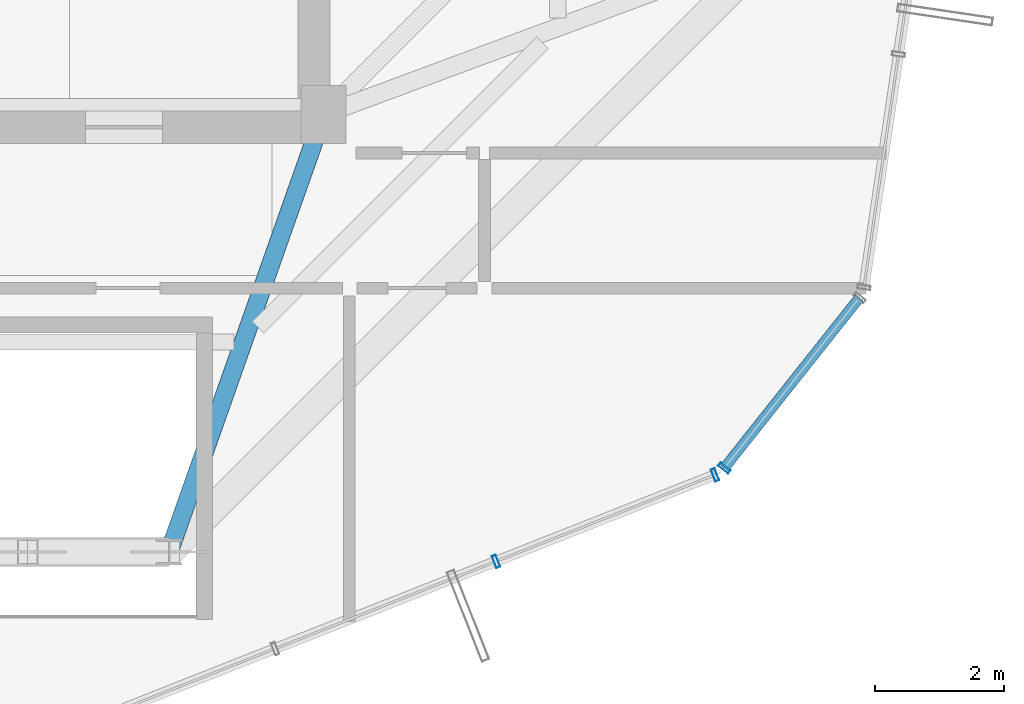
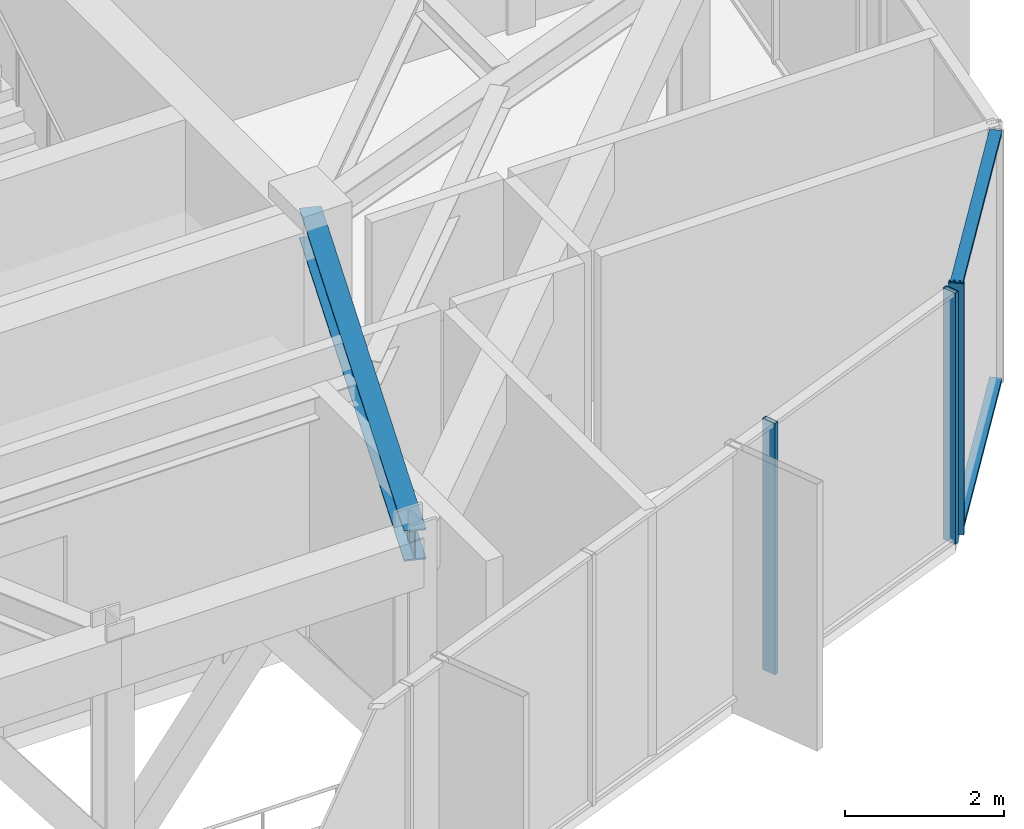
# One storey, part 7 of 22: 5 members, 1 beam, 2 elements without a shape of their own.
"""IFC4 building model written with IfcOpenShell, lengths in metres."""

import ifcopenshell
import ifcopenshell.guid

model = None  # the IFC model being written
_history = None  # IfcOwnerHistory: only IFC2X3 demands one
_inside = {}  # id of a spatial element -> (the spatial element, [elements in it])
_under = {}  # id of a project, library or spatial element -> (it, [spatial elements below it])
_declared = {}  # id of a project -> (the project, [libraries it declares])
_typed = {}  # id of a type object -> (the type object, [elements of that type])
_made_of = {}  # id of a material, layer set ... -> (it, [elements and type objects made of it])


def new_model(schema):
    """Start an empty IFC model of exactly this schema.

    Asked for "IFC4X3", IfcOpenShell would pick the latest addendum, in which some entities
    have other attributes; the version numbers below select the first issue.
    IFC2X3 requires an IfcOwnerHistory on every rooted entity: one is made here for all.
    """
    global model, _history
    if schema == "IFC4X3":
        model = ifcopenshell.file(schema_version=(4, 3, 0, 0))
    else:
        model = ifcopenshell.file(schema=schema)
    _inside.clear()
    _under.clear()
    _declared.clear()
    _typed.clear()
    _made_of.clear()
    _history = None
    if model.schema == "IFC2X3":
        org = make("IfcOrganization", Name="unknown")
        user = make(
            "IfcPersonAndOrganization",
            ThePerson=make("IfcPerson", FamilyName="unknown"),
            TheOrganization=org,
        )
        app = make(
            "IfcApplication",
            ApplicationDeveloper=org,
            Version="unknown",
            ApplicationFullName="unknown",
            ApplicationIdentifier="unknown",
        )
        _history = make(
            "IfcOwnerHistory",
            OwningUser=user,
            OwningApplication=app,
            ChangeAction="ADDED",
            CreationDate=0,
        )
    return model


def make(cls, **values):
    """One entity of the class cls with the attributes given. An attribute that is None is left unset."""
    return model.create_entity(
        cls, **{name: value for name, value in values.items() if value is not None}
    )


def rooted(cls, **values):
    """An entity with a GlobalId (a new one), such as an element, a storey or a relation."""
    return make(cls, GlobalId=ifcopenshell.guid.new(), OwnerHistory=_history, **values)


def si_unit(unit_type, name, prefix=None):
    """IfcSIUnit, for example si_unit("LENGTHUNIT", "METRE", prefix="MILLI")."""
    return make("IfcSIUnit", UnitType=unit_type, Prefix=prefix, Name=name)


def assignment(units):
    """IfcUnitAssignment: the units of a project."""
    return None if units is None else make("IfcUnitAssignment", Units=units)


def point(xyz):
    """IfcCartesianPoint."""
    return None if xyz is None else make("IfcCartesianPoint", Coordinates=xyz)


def direction(xyz):
    """IfcDirection."""
    return None if xyz is None else make("IfcDirection", DirectionRatios=xyz)


def frame(location, z_axis=None, x_axis=None):
    """IfcAxis2Placement3D, a coordinate frame: its origin and axes. An axis left out is left unset."""
    return make(
        "IfcAxis2Placement3D",
        Location=point(location),
        Axis=direction(z_axis),
        RefDirection=direction(x_axis),
    )


def frame_2d(location, x_axis=None):
    """IfcAxis2Placement2D, a coordinate frame in the plane: its origin and x axis."""
    return make(
        "IfcAxis2Placement2D", Location=point(location), RefDirection=direction(x_axis)
    )


def origin():
    """The frame at (0, 0, 0) with its axes left unset."""
    return frame((0.0, 0.0, 0.0))


def origin_2d():
    """The frame at (0, 0) in the plane with its x axis left unset."""
    return frame_2d((0.0, 0.0))


def place(relative_to, where):
    """IfcLocalPlacement: puts the frame where relative to a parent placement (None: the world)."""
    return make(
        "IfcLocalPlacement", PlacementRelTo=relative_to, RelativePlacement=where
    )


def context(
    kind, dimensions, precision=None, world=None, true_north=None, identifier=None
):
    """IfcGeometricRepresentationContext, for example the 3D "Model" context."""
    return make(
        "IfcGeometricRepresentationContext",
        ContextIdentifier=identifier,
        ContextType=kind,
        CoordinateSpaceDimension=dimensions,
        Precision=precision,
        WorldCoordinateSystem=world,
        TrueNorth=true_north,
    )


def subcontext(parent, identifier, kind, view, scale=None):
    """IfcGeometricRepresentationSubContext, for example "Body" below "Model"."""
    return make(
        "IfcGeometricRepresentationSubContext",
        ContextIdentifier=identifier,
        ContextType=kind,
        ParentContext=parent,
        TargetScale=scale,
        TargetView=view,
    )


def project(units=None, contexts=None):
    """IfcProject with its units and contexts."""
    return rooted(
        "IfcProject",
        Name="project",
        RepresentationContexts=contexts,
        UnitsInContext=assignment(units),
    )


def spatial(cls, under=None, at=None, **own):
    """A site, building, storey or space (cls), placed at a placement, below another one or the project."""
    s = rooted(cls, ObjectPlacement=at, **own)
    if under is not None:
        _under.setdefault(under.id(), (under, []))[1].append(s)
    return s


def profile(cls, at=None, kind="AREA", **sizes):
    """A parametric profile (cls). Its sizes go by their IFC names, for example OverallWidth=200.0."""
    return make(cls, ProfileType=kind, Position=at, **sizes)


def hollow_rectangle(**sizes):
    """IfcRectangleHollowProfileDef."""
    return profile("IfcRectangleHollowProfileDef", **sizes)


def i_section(**sizes):
    """IfcIShapeProfileDef."""
    return profile("IfcIShapeProfileDef", **sizes)


def extrude(swept, where, along, depth):
    """IfcExtrudedAreaSolid: the profile swept, set in the frame where, extruded along a direction by depth."""
    return make(
        "IfcExtrudedAreaSolid",
        SweptArea=swept,
        Position=where,
        ExtrudedDirection=direction(along),
        Depth=depth,
    )


def shape(context_of_items, identifier, shape_type, items):
    """IfcShapeRepresentation: the items that make up one representation, for example the "Body"."""
    return make(
        "IfcShapeRepresentation",
        ContextOfItems=context_of_items,
        RepresentationIdentifier=identifier,
        RepresentationType=shape_type,
        Items=items,
    )


def source(mapping_origin, context_of_items, identifier, shape_type, items):
    """IfcRepresentationMap: a shape defined once, which mapped items show again and again."""
    return make(
        "IfcRepresentationMap",
        MappingOrigin=mapping_origin,
        MappedRepresentation=shape(context_of_items, identifier, shape_type, items),
    )


def transform(
    local_origin,
    x_axis=None,
    y_axis=None,
    z_axis=None,
    scale=None,
    scale2=None,
    scale3=None,
    uniform=True,
):
    """IfcCartesianTransformationOperator3D, or its non-uniform kind. x_axis, y_axis, z_axis: its Axis1, 2, 3."""
    if uniform:
        return make(
            "IfcCartesianTransformationOperator3D",
            Axis1=direction(x_axis),
            Axis2=direction(y_axis),
            LocalOrigin=point(local_origin),
            Scale=scale,
            Axis3=direction(z_axis),
        )
    return make(
        "IfcCartesianTransformationOperator3DnonUniform",
        Axis1=direction(x_axis),
        Axis2=direction(y_axis),
        LocalOrigin=point(local_origin),
        Scale=scale,
        Axis3=direction(z_axis),
        Scale2=scale2,
        Scale3=scale3,
    )


def mapped(mapping_source, mapping_target):
    """IfcMappedItem: shows the shape of a source again, moved by a transform."""
    return make(
        "IfcMappedItem", MappingSource=mapping_source, MappingTarget=mapping_target
    )


def material(Name=None, Category=None):
    """IfcMaterial."""
    return make("IfcMaterial", Name=Name, Category=Category)


def layer(
    of_material, thickness, ventilated=None, Name=None, Category=None, Priority=None
):
    """IfcMaterialLayer: one layer of a wall or slab, of a material (None: an air gap)."""
    return make(
        "IfcMaterialLayer",
        Material=of_material,
        LayerThickness=thickness,
        IsVentilated=ventilated,
        Name=Name,
        Category=Category,
        Priority=Priority,
    )


def layer_set(layers, Name=None):
    """IfcMaterialLayerSet."""
    return make("IfcMaterialLayerSet", MaterialLayers=layers, LayerSetName=Name)


def material_profile(
    of_material, cross_section, Name=None, Category=None, Priority=None
):
    """IfcMaterialProfile: a cross section and its material."""
    return make(
        "IfcMaterialProfile",
        Name=Name,
        Material=of_material,
        Profile=cross_section,
        Priority=Priority,
        Category=Category,
    )


def profile_set(profiles, Name=None, composite=None):
    """IfcMaterialProfileSet."""
    return make(
        "IfcMaterialProfileSet",
        Name=Name,
        MaterialProfiles=profiles,
        CompositeProfile=composite,
    )


def made_of(thing, what):
    """Note that an element or type object is made of a material, layer set ...; save() writes the relation."""
    if what is not None:
        _made_of.setdefault(what.id(), (what, []))[1].append(thing)
    return thing


def type_object(cls, material=None, **own):
    """A type object (cls), such as IfcWallType, which elements share."""
    return made_of(rooted(cls, **own), material)


def element(
    cls,
    number,
    at=None,
    inside=None,
    cuts=None,
    type_object=None,
    material=None,
    context=None,
    identifier="Body",
    shape_type=None,
    held_by="IfcProductDefinitionShape",
    body=None,
    shapes=None,
    **own,
):
    """One element of the class cls, such as IfcWall. Its Tag is "e" and its number.

    at: its placement. inside: the storey or other place that contains it. cuts: it is an
    opening in that element (IfcRelVoidsElement). A single representation is given by context,
    identifier, shape_type and body (its items); several are given by shapes. held_by: the class
    of the entity that holds the representations. save() writes the other relations.
    """
    e = rooted(cls, Tag="e%d" % number, ObjectPlacement=at, **own)
    if body is not None:
        shapes = [shape(context, identifier, shape_type, body)]
    if shapes is not None:
        e.Representation = make(held_by, Representations=shapes)
    if inside is not None:
        _inside.setdefault(inside.id(), (inside, []))[1].append(e)
    if cuts is not None:
        rooted(
            "IfcRelVoidsElement", RelatingBuildingElement=cuts, RelatedOpeningElement=e
        )
    if type_object is not None:
        _typed.setdefault(type_object.id(), (type_object, []))[1].append(e)
    return made_of(e, material)


def aggregate(whole, parts):
    """IfcRelAggregates: a whole, such as a stair, and the parts it consists of."""
    return rooted("IfcRelAggregates", RelatingObject=whole, RelatedObjects=parts)


def save(model, path):
    """Write the relations noted so far, then the file.

    IfcRelAggregates (storeys below a building ...), IfcRelContainedInSpatialStructure (elements
    in a storey), IfcRelDefinesByType, IfcRelAssociatesMaterial and IfcRelDeclares: one each for
    every whole, place, type object, material and project.
    """
    for whole, parts in _under.values():
        aggregate(whole, parts)
    for where, things in _inside.values():
        rooted(
            "IfcRelContainedInSpatialStructure",
            RelatedElements=things,
            RelatingStructure=where,
        )
    for kind, things in _typed.values():
        rooted("IfcRelDefinesByType", RelatedObjects=things, RelatingType=kind)
    for what, things in _made_of.values():
        rooted("IfcRelAssociatesMaterial", RelatedObjects=things, RelatingMaterial=what)
    for by, libraries in _declared.values():
        rooted("IfcRelDeclares", RelatingContext=by, RelatedDefinitions=libraries)
    model.write(path)


model = new_model("IFC4")

# Units and contexts
model_context = context("Model", 3, precision=1e-05, world=origin(), true_north=direction((0.0, 1.0)))
body_context = subcontext(model_context, "Body", "Model", "MODEL_VIEW")
ifc_project = project(units=[si_unit("LENGTHUNIT", "METRE"), si_unit("AREAUNIT", "SQUARE_METRE"), si_unit("VOLUMEUNIT", "CUBIC_METRE"), si_unit("PLANEANGLEUNIT", "RADIAN"), si_unit("MASSUNIT", "GRAM", prefix="KILO")], contexts=[model_context])

# Site, building, storey
site_placement = place(None, origin())
site = spatial("IfcSite", under=ifc_project, at=site_placement, CompositionType="ELEMENT")
building_placement = place(site_placement, origin())
building = spatial("IfcBuilding", under=site, at=building_placement, Name="Veraguas Prism Commons", CompositionType="ELEMENT")
storey_placement = place(building_placement, frame((0.0, 0.0, 236.550048828125)))
storey = spatial("IfcBuildingStorey", under=building, at=storey_placement, Name="L67", CompositionType="ELEMENT", Elevation=236.550048828125)

# Beam
ifc_material_1 = material(Name="Steel ASTM A992 Grade 50", Category="steel")
ifc_material_profile_1 = material_profile(ifc_material_1, i_section(OverallWidth=0.282958984375, OverallDepth=0.471923828125, WebThickness=0.013671875, FlangeThickness=0.022216796875, at=origin_2d()), Name="W460X144")
ifc_profile_set_1 = profile_set([ifc_material_profile_1], Name="Steel ASTM A992 Grade 50")
beam_type = type_object("IfcBeamType", Name="Zone 4 Radial Girder W460x144", PredefinedType="BEAM", material=ifc_profile_set_1)
beam_placement = place(storey_placement, frame((28.39990234375, 10.199951171875, 3.62890625), z_axis=(0.332836055941, 0.942984708182, 0.0), x_axis=(-0.942984708182, 0.332836055941, 0.0)))
element("IfcBeam", 1, at=beam_placement, inside=storey, type_object=beam_type, Name="Radial Floor Girder L67-RD12", PredefinedType="BEAM", context=body_context, shape_type="SweptSolid", body=[
    extrude(i_section(OverallWidth=0.282958984375, OverallDepth=0.471923828125, WebThickness=0.013671875, FlangeThickness=0.022216796875, at=origin_2d()), origin(), (0.0, 0.0, 1.0), 7.211181640625),
])

# Curtain wall, members
ifc_material_2 = material(Name="Anodised aluminium EN AW-6063 T6", Category="aluminium")
ifc_layer = layer(ifc_material_2, 0.199951171875, Name="Sky Lobby and Pool Acoustic Curtain Wall", Category="aluminium")
ifc_layer_set = layer_set([ifc_layer], Name="Anodised aluminium EN AW-6063 T6")
curtain_wall_type = type_object("IfcCurtainWallType", Name="Sky Lobby and Pool Acoustic Curtain Wall", PredefinedType="NOTDEFINED", material=ifc_layer_set)
curtain_wall_1_placement = place(storey_placement, origin())
curtain_wall_1 = element("IfcCurtainWall", 2, at=curtain_wall_1_placement, inside=storey, type_object=curtain_wall_type, Name="Tower Facade Curtain Wall L67-F5", PredefinedType="NOTDEFINED")
ifc_material_profile_2 = material_profile(ifc_material_2, hollow_rectangle(XDim=0.06494140625, YDim=0.199951171875, WallThickness=0.00390625, at=origin_2d()), Name="AL65X200X4")
ifc_profile_set_2 = profile_set([ifc_material_profile_2], Name="Anodised aluminium EN AW-6063 T6")
member_type_1 = type_object("IfcMemberType", Name="Curtain Wall Mullion Heavy AL 65x200x4", PredefinedType="MULLION", material=ifc_profile_set_2)
shared_shape_1 = source(origin(), body_context, "Body", "SweptSolid", [
    extrude(hollow_rectangle(XDim=0.06494140625, YDim=0.199951171875, WallThickness=0.00390625, at=origin_2d()), origin(), (0.0, 0.0, 1.0), 3.864990234375),
])
member_1_placement = place(storey_placement, frame((33.47998046875, 10.053466796875, 0.0), z_axis=(0.0, 0.0, 1.0), x_axis=(0.930030051844, 0.367483472645, 0.0)))
member_1 = element("IfcMember", 3, at=member_1_placement, type_object=member_type_1, Name="CW-SKY Mullion 4", PredefinedType="MULLION", context=body_context, shape_type="MappedRepresentation", body=[
    mapped(shared_shape_1, transform((0.0, 0.0, 0.0), scale=1.0)),
])
member_2_placement = place(storey_placement, frame((36.883056640625, 11.39794921875, 0.0), z_axis=(0.0, 0.0, 1.0), x_axis=(0.930030051844, 0.367483472645, 0.0)))
member_2 = element("IfcMember", 4, at=member_2_placement, type_object=member_type_1, Name="CW-SKY Mullion 5", PredefinedType="MULLION", context=body_context, shape_type="MappedRepresentation", body=[
    mapped(shared_shape_1, transform((0.0, 0.0, 0.0), scale=1.0)),
])
aggregate(curtain_wall_1, [member_1, member_2])

curtain_wall_2_placement = place(storey_placement, origin())
curtain_wall_2 = element("IfcCurtainWall", 5, at=curtain_wall_2_placement, inside=storey, type_object=curtain_wall_type, Name="Chamfer Curtain Wall L67-C6", PredefinedType="NOTDEFINED")
member_3_placement = place(storey_placement, frame((37.026611328125, 11.50439453125, 0.0), z_axis=(0.0, 0.0, 1.0), x_axis=(0.621707053447, 0.783249857769, 0.0)))
member_3 = element("IfcMember", 6, at=member_3_placement, type_object=member_type_1, Name="CW-SKY Mullion 1", PredefinedType="MULLION", context=body_context, shape_type="MappedRepresentation", body=[
    mapped(shared_shape_1, transform((0.0, 0.0, 0.0), scale=1.0)),
])
ifc_material_profile_3 = material_profile(ifc_material_2, hollow_rectangle(XDim=0.06005859375, YDim=0.159912109375, WallThickness=0.0029296875, at=origin_2d()), Name="AL60X160X3")
ifc_profile_set_3 = profile_set([ifc_material_profile_3], Name="Anodised aluminium EN AW-6063 T6")
member_type_2 = type_object("IfcMemberType", Name="Curtain Wall Transom Heavy AL 60x160x3", PredefinedType="USERDEFINED", material=ifc_profile_set_3)
shared_shape_2 = source(origin(), body_context, "Body", "SweptSolid", [
    extrude(hollow_rectangle(XDim=0.06005859375, YDim=0.159912109375, WallThickness=0.0029296875, at=origin_2d()), origin(), (0.0, 0.0, 1.0), 3.37744140625),
])
member_4_placement = place(storey_placement, frame((37.026611328125, 11.50439453125, 0.030029296875), z_axis=(0.621657859564, 0.783288903051, 0.0), x_axis=(0.0, 0.0, 1.0)))
member_4 = element("IfcMember", 7, at=member_4_placement, type_object=member_type_2, Name="CW-SKY Transom 1", ObjectType="TRANSOM", PredefinedType="USERDEFINED", context=body_context, shape_type="MappedRepresentation", body=[
    mapped(shared_shape_2, transform((0.0, 0.0, 0.0), scale=1.0)),
])
member_5_placement = place(storey_placement, frame((37.026611328125, 11.50439453125, 3.8349609375), z_axis=(0.621657859564, 0.783288903051, 0.0), x_axis=(0.0, 0.0, 1.0)))
member_5 = element("IfcMember", 8, at=member_5_placement, type_object=member_type_2, Name="CW-SKY Transom 2", ObjectType="TRANSOM", PredefinedType="USERDEFINED", context=body_context, shape_type="MappedRepresentation", body=[
    mapped(shared_shape_2, transform((0.0, 0.0, 0.0), scale=1.0)),
])
aggregate(curtain_wall_2, [member_3, member_4, member_5])

save(model, "model.ifc")
